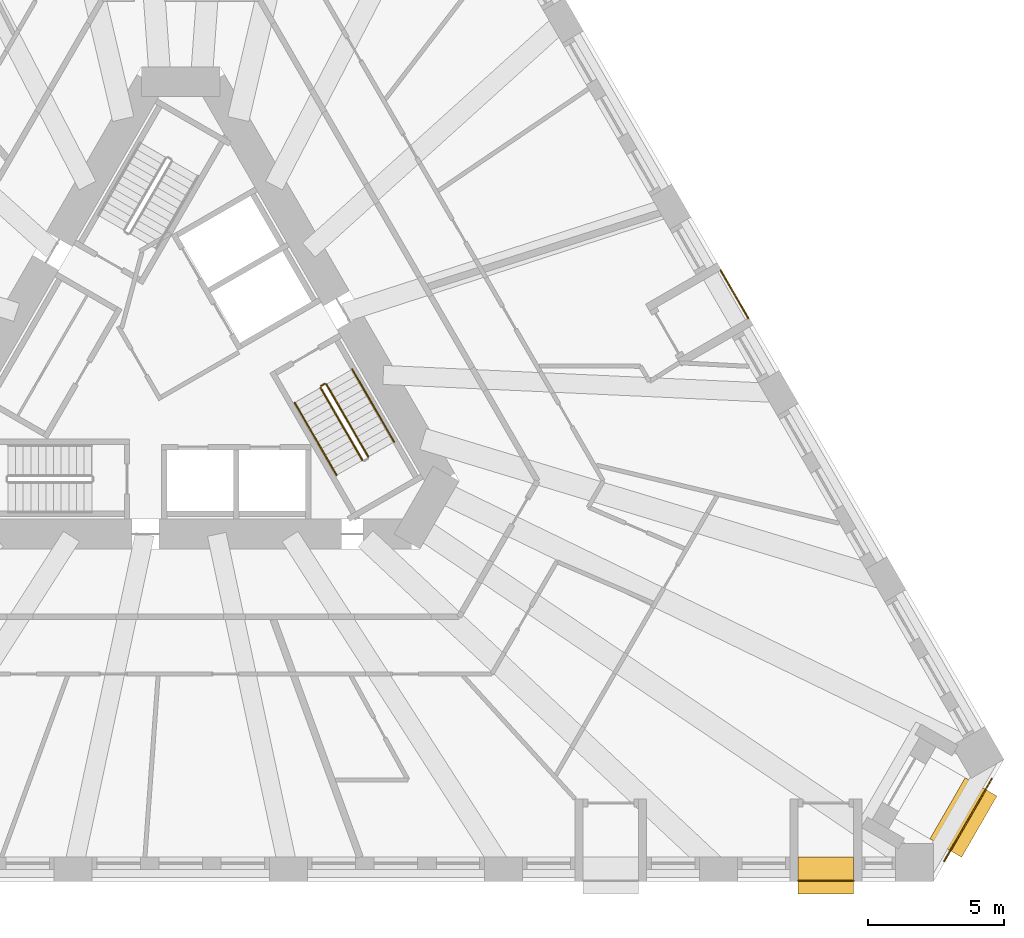
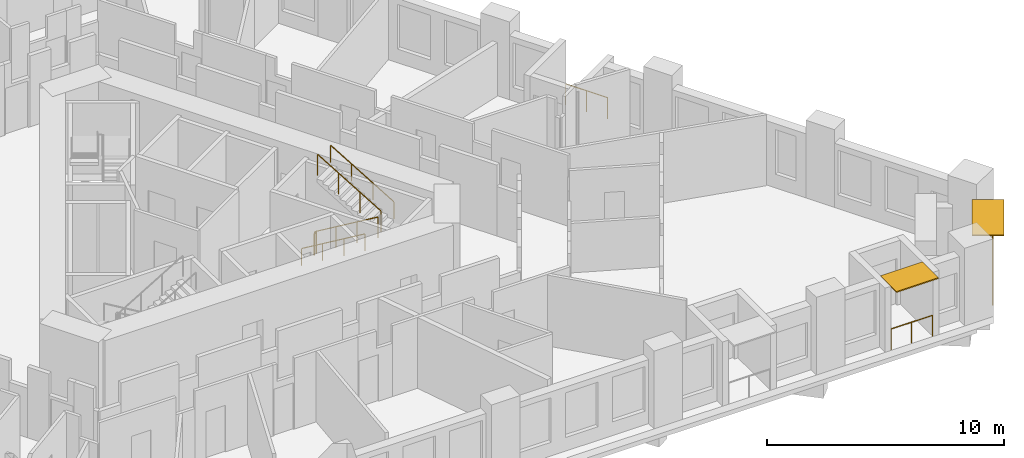
# One storey, part 13 of 14: 8 railings, 2 shading devices.
"""IFC4 building model written with IfcOpenShell, lengths in metres."""

from ifc_helpers import new_model, si_unit, direction, frame, origin, origin_2d, place, context, subcontext, project, spatial, rectangle, circle, extrude, material, layer, layer_set, type_object, element, save


model = new_model("IFC4")

# Units and contexts
model_context = context("Model", 3, precision=1e-05, world=origin(), true_north=direction((0.0, 1.0)))
body_context = subcontext(model_context, "Body", "Model", "MODEL_VIEW")
ifc_project = project(units=[si_unit("LENGTHUNIT", "METRE"), si_unit("AREAUNIT", "SQUARE_METRE"), si_unit("VOLUMEUNIT", "CUBIC_METRE"), si_unit("PLANEANGLEUNIT", "RADIAN"), si_unit("MASSUNIT", "GRAM", prefix="KILO")], contexts=[model_context])

# Site, building, storey
site_placement = place(None, origin())
site = spatial("IfcSite", under=ifc_project, at=site_placement, CompositionType="ELEMENT")
building_placement = place(site_placement, origin())
building = spatial("IfcBuilding", under=site, at=building_placement, Name="Tramontana Tower", CompositionType="ELEMENT")
storey_placement = place(building_placement, frame((0.0, 0.0, 42.0)))
storey = spatial("IfcBuildingStorey", under=building, at=storey_placement, Name="L08", CompositionType="ELEMENT", Elevation=42.0)

# Railings
ifc_material_1 = material(Name="Laminated glass balustrade", Category="glass")
railing_type_1 = type_object("IfcRailingType", Name="GD1 Loggia glass balustrade 1100", PredefinedType="BALUSTRADE", material=ifc_material_1)
railing_1_placement = place(storey_placement, frame((22.734130859375, -18.969970703125, 0.0)))
element("IfcRailing", 1, at=railing_1_placement, inside=storey, type_object=railing_type_1, Name="Loggia balustrade L08 G0S1.19", PredefinedType="BALUSTRADE", context=body_context, shape_type="SweptSolid", body=[
    extrude(circle(Radius=0.02392578125, at=origin_2d()), frame((0.0, 0.0, 1.076171875), z_axis=(1.0, 0.0, 0.0), x_axis=(0.0, 1.0, 0.0)), (0.0, 0.0, 1.0), 2.039306640625),
    extrude(circle(Radius=0.02099609375, at=origin_2d()), origin(), (0.0, 0.0, 1.0), 1.052001953125),
    extrude(circle(Radius=0.02099609375, at=origin_2d()), frame((1.01953125, 0.0, 0.0)), (0.0, 0.0, 1.0), 1.052001953125),
    extrude(circle(Radius=0.02099609375, at=origin_2d()), frame((2.039306640625, 0.0, 0.0)), (0.0, 0.0, 1.0), 1.052001953125),
])
railing_2_placement = place(storey_placement, frame((20.897216796875, 1.744873046875, 0.0)))
element("IfcRailing", 2, at=railing_2_placement, inside=storey, type_object=railing_type_1, Name="Loggia balustrade L08 G0S2.7", PredefinedType="BALUSTRADE", context=body_context, shape_type="SweptSolid", body=[
    extrude(circle(Radius=0.02392578125, at=origin_2d()), frame((0.0, 0.0, 1.076171875), z_axis=(-0.499950448838, 0.866054010271, 0.0), x_axis=(-0.866054010271, -0.499950448838, 0.0)), (0.0, 0.0, 1.0), 2.039306640625),
    extrude(circle(Radius=0.02099609375, at=origin_2d()), origin(), (0.0, 0.0, 1.0), 1.052001953125),
    extrude(circle(Radius=0.02099609375, at=origin_2d()), frame((-0.509765625, 0.883056640625, 0.0)), (0.0, 0.0, 1.0), 1.052001953125),
    extrude(circle(Radius=0.02099609375, at=origin_2d()), frame((-1.01953125, 1.76611328125, 0.0)), (0.0, 0.0, 1.0), 1.052001953125),
])
railing_3_placement = place(storey_placement, frame((29.86083984375, -15.219482421875, 0.0)))
element("IfcRailing", 3, at=railing_3_placement, inside=storey, type_object=railing_type_1, Name="Corner loggia balustrade L08 K02", PredefinedType="BALUSTRADE", context=body_context, shape_type="SweptSolid", body=[
    extrude(circle(Radius=0.02392578125, at=origin_2d()), frame((0.0, 0.0, 1.076171875), z_axis=(-0.500010275428, -0.866019471182, 0.0), x_axis=(0.866019471182, -0.500010275428, 0.0)), (0.0, 0.0, 1.0), 3.5),
    extrude(circle(Radius=0.02099609375, at=origin_2d()), origin(), (0.0, 0.0, 1.0), 1.052001953125),
    extrude(circle(Radius=0.02099609375, at=origin_2d()), frame((-0.583251953125, -1.01025390625, 0.0)), (0.0, 0.0, 1.0), 1.052001953125),
    extrude(circle(Radius=0.02099609375, at=origin_2d()), frame((-1.166748046875, -2.020751953125, 0.0)), (0.0, 0.0, 1.0), 1.052001953125),
    extrude(circle(Radius=0.02099609375, at=origin_2d()), frame((-1.75, -3.031005859375, 0.0)), (0.0, 0.0, 1.0), 1.052001953125),
])

# Shading devices
ifc_material_2 = material(Name="Precast concrete 60 MPa", Category="concrete")
ifc_layer_1 = layer(ifc_material_2, 0.06005859375)
ifc_layer_set_1 = layer_set([ifc_layer_1], Name="SS1 Stone sunshade blade 60")
shading_device_type_1 = type_object("IfcShadingDeviceType", Name="SS1 Stone sunshade blade 60", PredefinedType="USERDEFINED", material=ifc_layer_set_1)
shading_device_1_placement = place(storey_placement, frame((23.75390625, -18.77490234375, 3.239990234375), z_axis=(0.0, 0.0, 1.0), x_axis=(1.0, 0.0, 0.0)))
element("IfcShadingDevice", 4, at=shading_device_1_placement, inside=storey, type_object=shading_device_type_1, Name="Sunshade L08 G0S1.19", ObjectType="SUNSHADE", PredefinedType="USERDEFINED", context=body_context, shape_type="SweptSolid", body=[
    extrude(rectangle(XDim=2.039306640625, YDim=1.35009765625, at=origin_2d()), origin(), (0.0, 0.0, 1.0), 0.06005859375),
])
ifc_material_3 = material(Name="Precast concrete 60 MPa", Category="concrete")
ifc_layer_2 = layer(ifc_material_3, 0.070068359375)
ifc_layer_set_2 = layer_set([ifc_layer_2], Name="SS2 Stone sunshade blade 70")
shading_device_type_2 = type_object("IfcShadingDeviceType", Name="SS2 Stone sunshade blade 70", PredefinedType="USERDEFINED", material=ifc_layer_set_2)
shading_device_2_placement = place(storey_placement, frame((28.81689453125, -16.637451171875, 3.22998046875), z_axis=(0.0, 0.0, 1.0), x_axis=(-0.5, -0.866025403784, 0.0)))
element("IfcShadingDevice", 5, at=shading_device_2_placement, inside=storey, type_object=shading_device_type_2, Name="Corner sunshade L08 K02", ObjectType="SUNSHADE", PredefinedType="USERDEFINED", context=body_context, shape_type="SweptSolid", body=[
    extrude(rectangle(XDim=2.60009765625, YDim=1.35009765625, at=origin_2d()), origin(), (0.0, 0.0, 1.0), 0.070068359375),
])

# Railings
ifc_material_4 = material(Name="Painted steel", Category="steel")
railing_type_2 = type_object("IfcRailingType", Name="STAIR GUARD 1100", PredefinedType="GUARDRAIL", material=ifc_material_4)
railing_4_placement = place(storey_placement, frame((5.1474609375, -0.815673828125, 0.166748046875)))
element("IfcRailing", 6, at=railing_4_placement, inside=storey, type_object=railing_type_2, Name="L08 ST3 stair guard 1", PredefinedType="GUARDRAIL", context=body_context, shape_type="SweptSolid", body=[
    extrude(circle(Radius=0.02392578125, at=origin_2d()), frame((0.0, 0.0, 1.076171875), z_axis=(0.429671193721, -0.744159446956, 0.511477646425), x_axis=(0.866010015463, 0.500026652407, 0.0)), (0.0, 0.0, 1.0), 3.584228515625),
    extrude(circle(Radius=0.02099609375, at=origin_2d()), origin(), (0.0, 0.0, 1.0), 1.052001953125),
    extrude(circle(Radius=0.02099609375, at=origin_2d()), frame((0.513427734375, -0.88916015625, 0.611083984375)), (0.0, 0.0, 1.0), 1.052001953125),
    extrude(circle(Radius=0.02099609375, at=origin_2d()), frame((1.026611328125, -1.778076171875, 1.22216796875)), (0.0, 0.0, 1.0), 1.052001953125),
    extrude(circle(Radius=0.02099609375, at=origin_2d()), frame((1.5400390625, -2.667236328125, 1.833251953125)), (0.0, 0.0, 1.0), 1.052001953125),
])
railing_5_placement = place(storey_placement, frame((6.90380859375, -3.35791015625, 2.166748046875)))
element("IfcRailing", 7, at=railing_5_placement, inside=storey, type_object=railing_type_2, Name="L08 ST3 stair guard 2", PredefinedType="GUARDRAIL", context=body_context, shape_type="SweptSolid", body=[
    extrude(circle(Radius=0.02392578125, at=origin_2d()), frame((0.0, 0.0, 1.076171875), z_axis=(-0.429615651263, 0.74418122563, 0.511492615401), x_axis=(-0.866044340336, -0.499967199496, 0.0)), (0.0, 0.0, 1.0), 3.584228515625),
    extrude(circle(Radius=0.02099609375, at=origin_2d()), origin(), (0.0, 0.0, 1.0), 1.052001953125),
    extrude(circle(Radius=0.02099609375, at=origin_2d()), frame((-0.51318359375, 0.88916015625, 0.611083984375)), (0.0, 0.0, 1.0), 1.052001953125),
    extrude(circle(Radius=0.02099609375, at=origin_2d()), frame((-1.026611328125, 1.778076171875, 1.22216796875)), (0.0, 0.0, 1.0), 1.052001953125),
    extrude(circle(Radius=0.02099609375, at=origin_2d()), frame((-1.539794921875, 2.667236328125, 1.833251953125)), (0.0, 0.0, 1.0), 1.052001953125),
])
railing_6_placement = place(storey_placement, frame((5.165771484375, -0.747314453125, 0.0)))
element("IfcRailing", 8, at=railing_6_placement, inside=storey, type_object=railing_type_2, Name="L08 ST3 stair guard 4", PredefinedType="GUARDRAIL", context=body_context, shape_type="SweptSolid", body=[
    extrude(circle(Radius=0.02392578125, at=origin_2d()), frame((0.0, 0.0, 1.076171875), z_axis=(0.866131372301, 0.499816412211, 0.0), x_axis=(-0.499816412211, 0.866131372301, 0.0)), (0.0, 0.0, 1.0), 0.14990234375),
    extrude(circle(Radius=0.02099609375, at=origin_2d()), origin(), (0.0, 0.0, 1.0), 1.052001953125),
    extrude(circle(Radius=0.02099609375, at=origin_2d()), frame((0.1298828125, 0.074951171875, 0.0)), (0.0, 0.0, 1.0), 1.052001953125),
])
ifc_material_5 = material(Name="Painted steel", Category="steel")
railing_type_3 = type_object("IfcRailingType", Name="STAIR HANDRAIL 900", PredefinedType="HANDRAIL", material=ifc_material_5)
railing_7_placement = place(storey_placement, frame((4.19482421875, -1.365478515625, 0.166748046875)))
element("IfcRailing", 9, at=railing_7_placement, inside=storey, type_object=railing_type_3, Name="L08 ST3 stair handrail 1", PredefinedType="HANDRAIL", context=body_context, shape_type="SweptSolid", body=[
    extrude(circle(Radius=0.02392578125, at=origin_2d()), frame((0.0, 0.0, 0.8759765625), z_axis=(0.429649414936, -0.744189839504, 0.511451721109), x_axis=(0.866029832698, 0.499992328818, 0.0)), (0.0, 0.0, 1.0), 3.58447265625),
    extrude(circle(Radius=0.02099609375, at=origin_2d()), origin(), (0.0, 0.0, 1.0), 0.851806640625),
    extrude(circle(Radius=0.02099609375, at=origin_2d()), frame((0.513427734375, -0.88916015625, 0.611083984375)), (0.0, 0.0, 1.0), 0.851806640625),
    extrude(circle(Radius=0.02099609375, at=origin_2d()), frame((1.026611328125, -1.7783203125, 1.22216796875)), (0.0, 0.0, 1.0), 0.851806640625),
    extrude(circle(Radius=0.02099609375, at=origin_2d()), frame((1.5400390625, -2.66748046875, 1.833251953125)), (0.0, 0.0, 1.0), 0.851806640625),
])
railing_8_placement = place(storey_placement, frame((7.8564453125, -2.807861328125, 2.166748046875)))
element("IfcRailing", 10, at=railing_8_placement, inside=storey, type_object=railing_type_3, Name="L08 ST3 stair handrail 2", PredefinedType="HANDRAIL", context=body_context, shape_type="SweptSolid", body=[
    extrude(circle(Radius=0.02392578125, at=origin_2d()), frame((0.0, 0.0, 0.8759765625), z_axis=(-0.429615651263, 0.74418122563, 0.511492615401), x_axis=(-0.866044340336, -0.499967199496, 0.0)), (0.0, 0.0, 1.0), 3.584228515625),
    extrude(circle(Radius=0.02099609375, at=origin_2d()), origin(), (0.0, 0.0, 1.0), 0.851806640625),
    extrude(circle(Radius=0.02099609375, at=origin_2d()), frame((-0.51318359375, 0.88916015625, 0.611083984375)), (0.0, 0.0, 1.0), 0.851806640625),
    extrude(circle(Radius=0.02099609375, at=origin_2d()), frame((-1.026611328125, 1.778076171875, 1.22216796875)), (0.0, 0.0, 1.0), 0.851806640625),
    extrude(circle(Radius=0.02099609375, at=origin_2d()), frame((-1.539794921875, 2.667236328125, 1.833251953125)), (0.0, 0.0, 1.0), 0.851806640625),
])

save(model, "model.ifc")
